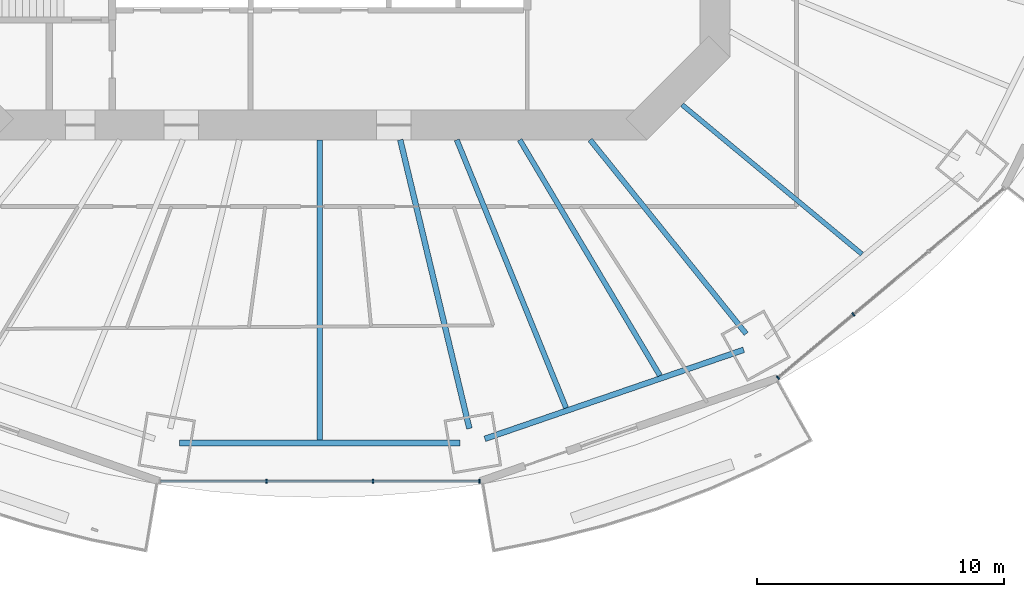
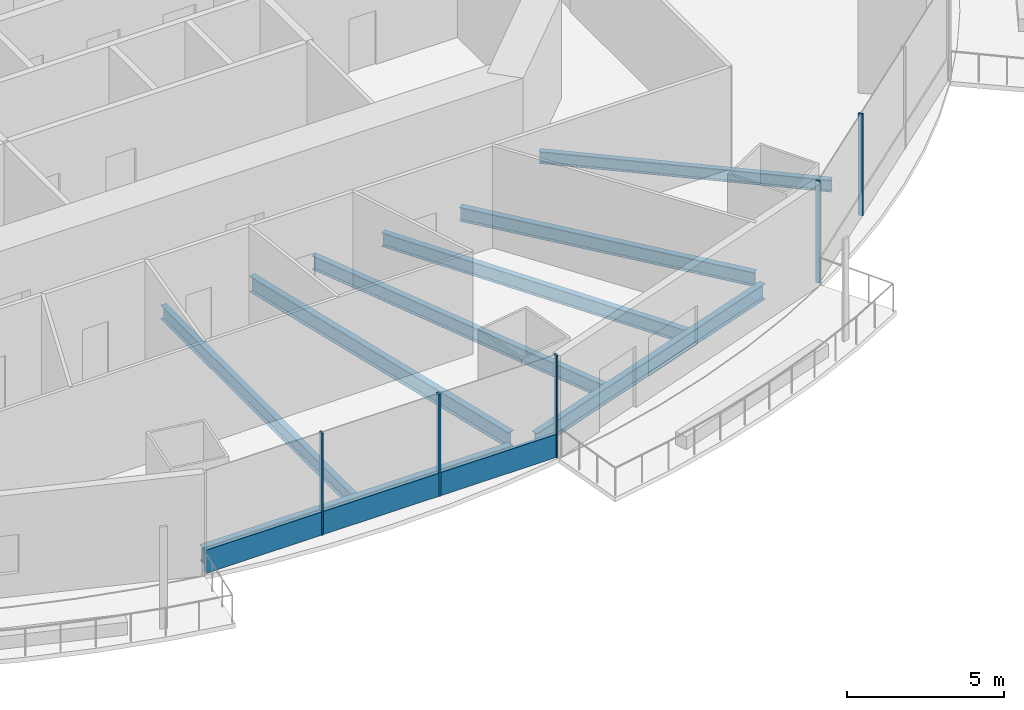
# One storey, part 4 of 20: 8 beams, 6 members, 2 elements without a shape of their own.
"""IFC4 building model written with IfcOpenShell, lengths in metres."""

from ifc_helpers import new_model, si_unit, direction, frame, origin, origin_2d, place, context, subcontext, project, spatial, rectangle, i_section, extrude, material, material_profile, profile_set, type_object, element, aggregate, save


model = new_model("IFC4")

# Units and contexts
model_context = context("Model", 3, precision=1e-05, world=origin(), true_north=direction((0.0, 1.0)))
body_context = subcontext(model_context, "Body", "Model", "MODEL_VIEW")
ifc_project = project(units=[si_unit("LENGTHUNIT", "METRE"), si_unit("AREAUNIT", "SQUARE_METRE"), si_unit("VOLUMEUNIT", "CUBIC_METRE"), si_unit("PLANEANGLEUNIT", "RADIAN"), si_unit("MASSUNIT", "GRAM", prefix="KILO")], contexts=[model_context])

# Site, building, storey
site_placement = place(None, origin())
site = spatial("IfcSite", under=ifc_project, at=site_placement, CompositionType="ELEMENT")
building_placement = place(site_placement, origin())
building = spatial("IfcBuilding", under=site, at=building_placement, Name="Marenthal Gate Tower", CompositionType="ELEMENT")
storey_placement = place(building_placement, frame((0.0, 0.0, 132.60009765625)))
storey = spatial("IfcBuildingStorey", under=building, at=storey_placement, Name="L28", CompositionType="ELEMENT", Elevation=132.60009765625)

# Curtain wall, members
ifc_material_1 = material(Name="Aluminium and glass", Category="aluminium")
curtain_wall_type = type_object("IfcCurtainWallType", Name="Curtain wall typical low", PredefinedType="NOTDEFINED", material=ifc_material_1)
curtain_wall_1_placement = place(storey_placement, origin())
curtain_wall_1 = element("IfcCurtainWall", 1, at=curtain_wall_1_placement, inside=storey, type_object=curtain_wall_type, Name="Curtain wall L28 bay 12", PredefinedType="NOTDEFINED")
ifc_material_2 = material(Name="Aluminium", Category="aluminium")
ifc_material_profile_1 = material_profile(ifc_material_2, rectangle(XDim=0.159912109375, YDim=0.06005859375, at=origin_2d()), Name="60x160 aluminium mullion")
ifc_profile_set_1 = profile_set([ifc_material_profile_1], Name="Aluminium")
member_type_1 = type_object("IfcMemberType", Name="Mullion 60x160 typical low", PredefinedType="MULLION", material=ifc_profile_set_1)
member_1_placement = place(storey_placement, frame((-2.158203125, -27.419921875, 0.0), z_axis=(0.0, 0.0, 1.0), x_axis=(0.0, 1.0, 0.0)))
member_1 = element("IfcMember", 2, at=member_1_placement, type_object=member_type_1, Name="Mullion L28 bay 12.2", PredefinedType="MULLION", context=body_context, shape_type="SweptSolid", body=[
    extrude(rectangle(XDim=0.159912109375, YDim=0.06005859375, at=origin_2d()), origin(), (0.0, 0.0, 1.0), 3.969970703125),
])
member_2_placement = place(storey_placement, frame((2.158203125, -27.419921875, 0.0), z_axis=(0.0, 0.0, 1.0), x_axis=(0.0, 1.0, 0.0)))
member_2 = element("IfcMember", 3, at=member_2_placement, type_object=member_type_1, Name="Mullion L28 bay 12.3", PredefinedType="MULLION", context=body_context, shape_type="SweptSolid", body=[
    extrude(rectangle(XDim=0.159912109375, YDim=0.06005859375, at=origin_2d()), origin(), (0.0, 0.0, 1.0), 3.969970703125),
])
member_3_placement = place(storey_placement, frame((6.474609375, -27.419921875, 0.0), z_axis=(0.0, 0.0, 1.0), x_axis=(0.0, 1.0, 0.0)))
member_3 = element("IfcMember", 4, at=member_3_placement, type_object=member_type_1, Name="Mullion L28 bay 12.4", PredefinedType="MULLION", context=body_context, shape_type="SweptSolid", body=[
    extrude(rectangle(XDim=0.159912109375, YDim=0.06005859375, at=origin_2d()), origin(), (0.0, 0.0, 1.0), 3.969970703125),
])

curtain_wall_2_placement = place(storey_placement, origin())
curtain_wall_2 = element("IfcCurtainWall", 5, at=curtain_wall_2_placement, inside=storey, type_object=curtain_wall_type, Name="Curtain wall L28 bay 14", PredefinedType="NOTDEFINED")
member_4_placement = place(storey_placement, frame((18.546875, -23.22607421875, 0.0), z_axis=(0.0, 0.0, 1.0), x_axis=(-0.642510826857, 0.766276606305, 0.0)))
member_4 = element("IfcMember", 6, at=member_4_placement, type_object=member_type_1, Name="Mullion L28 bay 14.1", PredefinedType="MULLION", context=body_context, shape_type="SweptSolid", body=[
    extrude(rectangle(XDim=0.159912109375, YDim=0.06005859375, at=origin_2d()), origin(), (0.0, 0.0, 1.0), 3.969970703125),
])
member_5_placement = place(storey_placement, frame((21.597900390625, -20.66796875, 0.0), z_axis=(0.0, 0.0, 1.0), x_axis=(-0.642510826857, 0.766276606305, 0.0)))
member_5 = element("IfcMember", 7, at=member_5_placement, type_object=member_type_1, Name="Mullion L28 bay 14.2", PredefinedType="MULLION", context=body_context, shape_type="SweptSolid", body=[
    extrude(rectangle(XDim=0.159912109375, YDim=0.06005859375, at=origin_2d()), origin(), (0.0, 0.0, 1.0), 3.969970703125),
])
aggregate(curtain_wall_2, [member_4, member_5])

# Member
ifc_material_3 = material(Name="Aluminium", Category="aluminium")
ifc_material_profile_2 = material_profile(ifc_material_3, rectangle(XDim=0.1201171875, YDim=0.89990234375, at=origin_2d()), Name="120x900 aluminium transom")
ifc_profile_set_2 = profile_set([ifc_material_profile_2], Name="Aluminium")
member_type_2 = type_object("IfcMemberType", Name="Transom 120x900 typical low", PredefinedType="USERDEFINED", material=ifc_profile_set_2)
member_6_placement = place(storey_placement, frame((-6.444580078125, -27.419921875, 0.449951171875), z_axis=(1.0, 0.0, 0.0), x_axis=(0.0, 1.0, 0.0)))
member_6 = element("IfcMember", 8, at=member_6_placement, type_object=member_type_2, Name="Transom L28 bay 12", ObjectType="TRANSOM", PredefinedType="USERDEFINED", context=body_context, shape_type="SweptSolid", body=[
    extrude(rectangle(XDim=0.1201171875, YDim=0.89990234375, at=origin_2d()), origin(), (0.0, 0.0, 1.0), 12.88916015625),
])

aggregate(curtain_wall_1, [member_1, member_2, member_3, member_6])

# Beams
ifc_material_4 = material(Name="Steel S355", Category="steel")
ifc_material_profile_3 = material_profile(ifc_material_4, i_section(OverallWidth=0.193115234375, OverallDepth=0.467041015625, WebThickness=0.011474609375, FlangeThickness=0.01904296875, FilletRadius=0.010009765625, at=origin_2d()), Name="W460X97")
ifc_profile_set_3 = profile_set([ifc_material_profile_3], Name="Steel S355")
beam_type_1 = type_object("IfcBeamType", Name="W460X97 beam", PredefinedType="BEAM", material=ifc_profile_set_3)
beam_1_placement = place(storey_placement, frame((21.944580078125, -18.22412109375, -0.41357421875), z_axis=(-0.769313903272, 0.638870971506, 0.0), x_axis=(-0.638870971506, -0.769313903272, 0.0)))
element("IfcBeam", 9, at=beam_1_placement, inside=storey, type_object=beam_type_1, Name="BM-L28-37", PredefinedType="BEAM", context=body_context, shape_type="SweptSolid", body=[
    extrude(i_section(OverallWidth=0.193115234375, OverallDepth=0.467041015625, WebThickness=0.011474609375, FlangeThickness=0.01904296875, FilletRadius=0.010009765625, at=origin_2d()), origin(), (0.0, 0.0, 1.0), 9.459228515625),
])
ifc_material_5 = material(Name="Steel S355", Category="steel")
ifc_material_profile_4 = material_profile(ifc_material_5, i_section(OverallWidth=0.2099609375, OverallDepth=0.535888671875, WebThickness=0.010986328125, FlangeThickness=0.017333984375, FilletRadius=0.0126953125, at=origin_2d()), Name="W530X101")
ifc_profile_set_4 = profile_set([ifc_material_profile_4], Name="Steel S355")
beam_type_2 = type_object("IfcBeamType", Name="W530X101 beam", PredefinedType="BEAM", material=ifc_profile_set_4)
beam_2_placement = place(storey_placement, frame((13.769775390625, -23.14404296875, -0.447998046875), z_axis=(-0.511320752803, 0.859389950926, 0.0), x_axis=(-0.859389950926, -0.511320752803, 0.0)))
element("IfcBeam", 10, at=beam_2_placement, inside=storey, type_object=beam_type_2, Name="BM-L28-36", PredefinedType="BEAM", context=body_context, shape_type="SweptSolid", body=[
    extrude(i_section(OverallWidth=0.2099609375, OverallDepth=0.535888671875, WebThickness=0.010986328125, FlangeThickness=0.017333984375, FilletRadius=0.0126953125, at=origin_2d()), origin(), (0.0, 0.0, 1.0), 11.10546875),
])
ifc_material_6 = material(Name="Steel S355", Category="steel")
ifc_material_profile_5 = material_profile(ifc_material_6, i_section(OverallWidth=0.2119140625, OverallDepth=0.5439453125, WebThickness=0.01318359375, FlangeThickness=0.021240234375, FilletRadius=0.0126953125, at=origin_2d()), Name="W530X123")
ifc_profile_set_5 = profile_set([ifc_material_profile_5], Name="Steel S355")
beam_type_3 = type_object("IfcBeamType", Name="W530X123 beam", PredefinedType="BEAM", material=ifc_profile_set_5)
beam_3_placement = place(storey_placement, frame((17.259521484375, -21.45166015625, -0.4521484375), z_axis=(-0.6268641657, 0.77912856305, 0.0), x_axis=(-0.77912856305, -0.6268641657, 0.0)))
element("IfcBeam", 11, at=beam_3_placement, inside=storey, type_object=beam_type_3, Name="BM-L28-14", PredefinedType="BEAM", context=body_context, shape_type="SweptSolid", body=[
    extrude(i_section(OverallWidth=0.2119140625, OverallDepth=0.5439453125, WebThickness=0.01318359375, FlangeThickness=0.021240234375, FilletRadius=0.0126953125, at=origin_2d()), origin(), (0.0, 0.0, 1.0), 10.077392578125),
])
beam_4_placement = place(storey_placement, frame((0.0, -25.755615234375, -0.4521484375), z_axis=(0.0, 1.0, 0.0), x_axis=(-1.0, 0.0, 0.0)))
element("IfcBeam", 12, at=beam_4_placement, inside=storey, type_object=beam_type_3, Name="BM-L28-34", PredefinedType="BEAM", context=body_context, shape_type="SweptSolid", body=[
    extrude(i_section(OverallWidth=0.2119140625, OverallDepth=0.5439453125, WebThickness=0.01318359375, FlangeThickness=0.021240234375, FilletRadius=0.0126953125, at=origin_2d()), origin(), (0.0, 0.0, 1.0), 12.155517578125),
])
beam_5_placement = place(storey_placement, frame((9.9697265625, -24.451171875, -0.4521484375), z_axis=(-0.377553645664, 0.92598771301, 0.0), x_axis=(-0.92598771301, -0.377553645664, 0.0)))
element("IfcBeam", 13, at=beam_5_placement, inside=storey, type_object=beam_type_3, Name="BM-L28-35", PredefinedType="BEAM", context=body_context, shape_type="SweptSolid", body=[
    extrude(i_section(OverallWidth=0.2119140625, OverallDepth=0.5439453125, WebThickness=0.01318359375, FlangeThickness=0.021240234375, FilletRadius=0.0126953125, at=origin_2d()), origin(), (0.0, 0.0, 1.0), 11.71826171875),
])
ifc_material_7 = material(Name="Steel S355", Category="steel")
ifc_material_profile_6 = material_profile(ifc_material_7, i_section(OverallWidth=0.22900390625, OverallDepth=0.612060546875, WebThickness=0.011962890625, FlangeThickness=0.01953125, FilletRadius=0.0126953125, at=origin_2d()), Name="W610X125")
ifc_profile_set_6 = profile_set([ifc_material_profile_6], Name="Steel S355")
beam_type_4 = type_object("IfcBeamType", Name="W610X125 beam", PredefinedType="BEAM", material=ifc_profile_set_6)
beam_6_placement = place(storey_placement, frame((6.05615234375, -25.283935546875, -0.486083984375), z_axis=(-0.232937154271, 0.972491790279, 0.0), x_axis=(-0.972491790279, -0.232937154271, 0.0)))
element("IfcBeam", 14, at=beam_6_placement, inside=storey, type_object=beam_type_4, Name="BM-L28-13", PredefinedType="BEAM", context=body_context, shape_type="SweptSolid", body=[
    extrude(i_section(OverallWidth=0.22900390625, OverallDepth=0.612060546875, WebThickness=0.011962890625, FlangeThickness=0.01953125, FilletRadius=0.0126953125, at=origin_2d()), origin(), (0.0, 0.0, 1.0), 12.014404296875),
])
beam_7_placement = place(storey_placement, frame((-5.682861328125, -25.8701171875, -0.486083984375), z_axis=(1.0, 0.0, 0.0), x_axis=(0.0, 1.0, 0.0)))
element("IfcBeam", 15, at=beam_7_placement, inside=storey, type_object=beam_type_4, Name="BM-L28-52", PredefinedType="BEAM", context=body_context, shape_type="SweptSolid", body=[
    extrude(i_section(OverallWidth=0.22900390625, OverallDepth=0.612060546875, WebThickness=0.011962890625, FlangeThickness=0.01953125, FilletRadius=0.0126953125, at=origin_2d()), origin(), (0.0, 0.0, 1.0), 11.36572265625),
])
beam_8_placement = place(storey_placement, frame((6.682861328125, -25.702880859375, -0.486083984375), z_axis=(0.945616285836, 0.325284244871, 0.0), x_axis=(-0.325284244871, 0.945616285836, 0.0)))
element("IfcBeam", 16, at=beam_8_placement, inside=storey, type_object=beam_type_4, Name="BM-L28-53", PredefinedType="BEAM", context=body_context, shape_type="SweptSolid", body=[
    extrude(i_section(OverallWidth=0.22900390625, OverallDepth=0.612060546875, WebThickness=0.011962890625, FlangeThickness=0.01953125, FilletRadius=0.0126953125, at=origin_2d()), origin(), (0.0, 0.0, 1.0), 11.078125),
])

save(model, "model.ifc")
